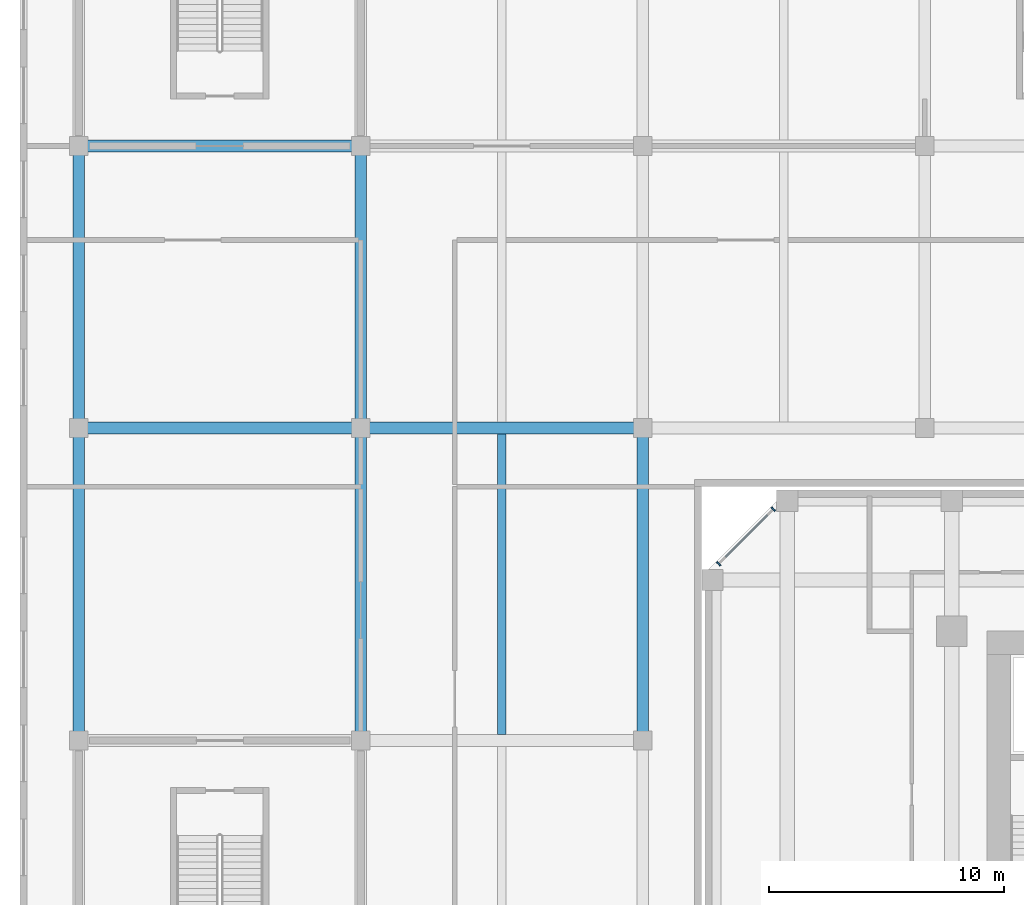
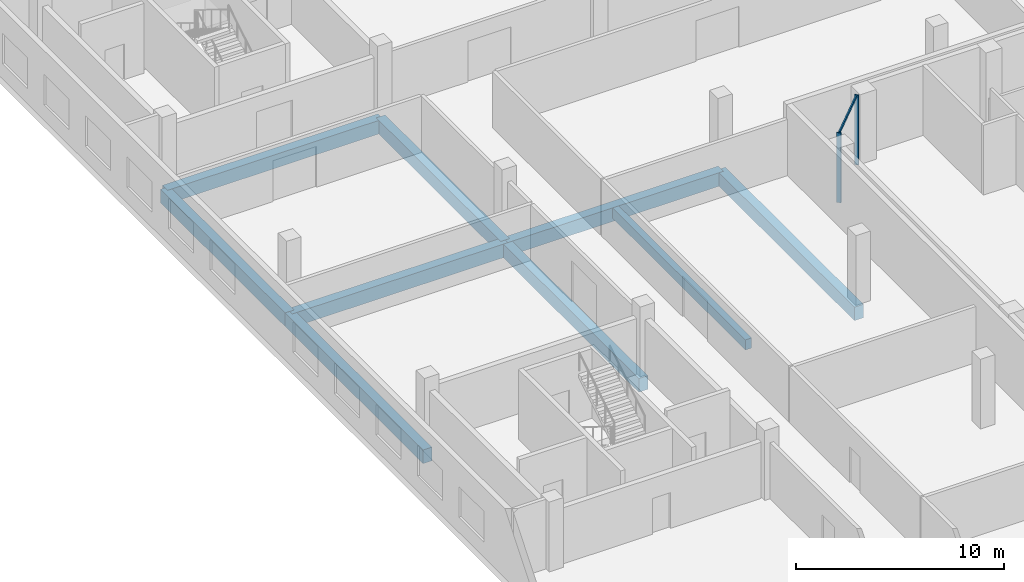
# One storey, part 8 of 35: 9 beams, 3 members, 1 element without a shape of its own.
"""IFC4 building model written with IfcOpenShell, lengths in metres."""

from ifc_helpers import new_model, si_unit, direction, frame, origin, origin_2d, place, context, subcontext, project, spatial, rectangle, extrude, source, transform, mapped, material, material_profile, profile_set, type_object, element, aggregate, save


model = new_model("IFC4")

# Units and contexts
model_context = context("Model", 3, precision=1e-05, world=origin(), true_north=direction((0.0, 1.0)))
body_context = subcontext(model_context, "Body", "Model", "MODEL_VIEW")
ifc_project = project(units=[si_unit("LENGTHUNIT", "METRE"), si_unit("AREAUNIT", "SQUARE_METRE"), si_unit("VOLUMEUNIT", "CUBIC_METRE"), si_unit("PLANEANGLEUNIT", "RADIAN"), si_unit("MASSUNIT", "GRAM", prefix="KILO")], contexts=[model_context])

# Site, building, storey
site_placement = place(None, origin())
site = spatial("IfcSite", under=ifc_project, at=site_placement, CompositionType="ELEMENT")
building_placement = place(site_placement, origin())
building = spatial("IfcBuilding", under=site, at=building_placement, Name="Kilnfold Tower and Market Hall", CompositionType="ELEMENT")
storey_placement = place(building_placement, frame((0.0, 0.0, 13.5)))
storey = spatial("IfcBuildingStorey", under=building, at=storey_placement, Name="L02", CompositionType="ELEMENT", Elevation=13.5)

# Beams
ifc_material_1 = material(Name="Concrete C40/50", Category="concrete")
ifc_material_profile_1 = material_profile(ifc_material_1, rectangle(XDim=0.5, YDim=0.800048828125, at=origin_2d()), Name="RC 500x800")
ifc_profile_set_1 = profile_set([ifc_material_profile_1], Name="Concrete C40/50")
beam_type_1 = type_object("IfcBeamType", Name="HALL GIRDER 500X800", PredefinedType="BEAM", material=ifc_profile_set_1)
beam_1_placement = place(storey_placement, frame((-54.64990234375, 17.35009765625, -0.800048828125), z_axis=(0.0, 1.0, 0.0), x_axis=(-1.0, 0.0, 0.0)))
element("IfcBeam", 1, at=beam_1_placement, inside=storey, type_object=beam_type_1, Name="Beam MG2.11", PredefinedType="BEAM", context=body_context, shape_type="SweptSolid", body=[
    extrude(rectangle(XDim=0.5, YDim=0.800048828125, at=origin_2d()), origin(), (0.0, 0.0, 1.0), 13.2998046875),
])
for number, where, z_axis, x_axis, name in (
    (2, (-54.64990234375, 30.64990234375, -0.800048828125), (0.0, 1.0, 0.0), (-1.0, 0.0, 0.0), "Beam MG2.13"),
    (3, (-54.64990234375, 30.64990234375, -0.800048828125), (1.0, 0.0, 0.0), (0.0, 1.0, 0.0), "Beam MG2.14"),
    (4, (-54.64990234375, 42.64990234375, -0.800048828125), (1.0, 0.0, 0.0), (0.0, 1.0, 0.0), "Beam MG2.16"),
):
    element("IfcBeam", number, at=place(storey_placement, frame(where, z_axis=z_axis, x_axis=x_axis)), inside=storey, type_object=beam_type_1, Name=name, PredefinedType="BEAM", context=body_context, shape_type="SweptSolid", body=[
        extrude(rectangle(XDim=0.5, YDim=0.800048828125, at=origin_2d()), origin(), (0.0, 0.0, 1.0), 12.0),
    ])
beam_2_placement = place(storey_placement, frame((-42.64990234375, 17.35009765625, -0.800048828125), z_axis=(0.0, 1.0, 0.0), x_axis=(-1.0, 0.0, 0.0)))
element("IfcBeam", 5, at=beam_2_placement, inside=storey, type_object=beam_type_1, Name="Beam MG2.26", PredefinedType="BEAM", context=body_context, shape_type="SweptSolid", body=[
    extrude(rectangle(XDim=0.5, YDim=0.800048828125, at=origin_2d()), origin(), (0.0, 0.0, 1.0), 13.2998046875),
])
for number, where, z_axis, x_axis, name in (
    (6, (-42.64990234375, 30.64990234375, -0.800048828125), (0.0, 1.0, 0.0), (-1.0, 0.0, 0.0), "Beam MG2.28"),
    (7, (-42.64990234375, 30.64990234375, -0.800048828125), (1.0, 0.0, 0.0), (0.0, 1.0, 0.0), "Beam MG2.29"),
):
    element("IfcBeam", number, at=place(storey_placement, frame(where, z_axis=z_axis, x_axis=x_axis)), inside=storey, type_object=beam_type_1, Name=name, PredefinedType="BEAM", context=body_context, shape_type="SweptSolid", body=[
        extrude(rectangle(XDim=0.5, YDim=0.800048828125, at=origin_2d()), origin(), (0.0, 0.0, 1.0), 12.0),
    ])
beam_3_placement = place(storey_placement, frame((-30.64990234375, 17.35009765625, -0.800048828125), z_axis=(0.0, 1.0, 0.0), x_axis=(-1.0, 0.0, 0.0)))
element("IfcBeam", 8, at=beam_3_placement, inside=storey, type_object=beam_type_1, Name="Beam MG2.38", PredefinedType="BEAM", context=body_context, shape_type="SweptSolid", body=[
    extrude(rectangle(XDim=0.5, YDim=0.800048828125, at=origin_2d()), origin(), (0.0, 0.0, 1.0), 13.2998046875),
])
ifc_material_2 = material(Name="Concrete C40/50", Category="concrete")
ifc_material_profile_2 = material_profile(ifc_material_2, rectangle(XDim=0.35009765625, YDim=0.60009765625, at=origin_2d()), Name="RC 350x600")
ifc_profile_set_2 = profile_set([ifc_material_profile_2], Name="Concrete C40/50")
beam_type_2 = type_object("IfcBeamType", Name="HALL JOIST 350X600", PredefinedType="BEAM", material=ifc_profile_set_2)
beam_4_placement = place(storey_placement, frame((-36.64990234375, 17.60009765625, -0.699951171875), z_axis=(0.0, 1.0, 0.0), x_axis=(-1.0, 0.0, 0.0)))
element("IfcBeam", 9, at=beam_4_placement, inside=storey, type_object=beam_type_2, Name="Beam MJ1.8", PredefinedType="BEAM", context=body_context, shape_type="SweptSolid", body=[
    extrude(rectangle(XDim=0.35009765625, YDim=0.60009765625, at=origin_2d()), origin(), (0.0, 0.0, 1.0), 12.7998046875),
])

# Curtain wall, members
ifc_material_3 = material(Name="Aluminium and double glazing", Category="aluminium")
curtain_wall_type = type_object("IfcCurtainWallType", Name="CW BASE PODIUM GLAZING", PredefinedType="NOTDEFINED", material=ifc_material_3)
curtain_wall_placement = place(storey_placement, origin())
curtain_wall = element("IfcCurtainWall", 10, at=curtain_wall_placement, inside=storey, type_object=curtain_wall_type, Name="Curtain wall CW4 L02 NW", PredefinedType="NOTDEFINED")
ifc_material_4 = material(Name="Aluminium", Category="aluminium")
ifc_material_profile_3 = material_profile(ifc_material_4, rectangle(XDim=0.070068359375, YDim=0.219970703125, at=origin_2d()), Name="MULLION 70x220")
ifc_profile_set_3 = profile_set([ifc_material_profile_3], Name="Aluminium")
member_type_1 = type_object("IfcMemberType", Name="MULLION 70X220", PredefinedType="MULLION", material=ifc_profile_set_3)
shared_shape_1 = source(origin(), body_context, "Body", "SweptSolid", [
    extrude(rectangle(XDim=0.070068359375, YDim=0.219970703125, at=origin_2d()), origin(), (0.0, 0.0, 1.0), 4.10009765625),
])
member_1_placement = place(storey_placement, frame((-25.09375, 27.194091796875, 0.0), z_axis=(0.0, 0.0, 1.0), x_axis=(-0.707121667181, -0.707091894879, 0.0)))
member_1 = element("IfcMember", 11, at=member_1_placement, type_object=member_type_1, Name="CW4 mullion 1", PredefinedType="MULLION", context=body_context, shape_type="MappedRepresentation", body=[
    mapped(shared_shape_1, transform((0.0, 0.0, 0.0))),
])
member_2_placement = place(storey_placement, frame((-27.419189453125, 24.86865234375, 0.0), z_axis=(0.0, 0.0, 1.0), x_axis=(-0.707121667181, -0.707091894879, 0.0)))
member_2 = element("IfcMember", 12, at=member_2_placement, type_object=member_type_1, Name="CW4 mullion 2", PredefinedType="MULLION", context=body_context, shape_type="MappedRepresentation", body=[
    mapped(shared_shape_1, transform((0.0, 0.0, 0.0))),
])
ifc_material_5 = material(Name="Aluminium", Category="aluminium")
ifc_material_profile_4 = material_profile(ifc_material_5, rectangle(XDim=0.070068359375, YDim=0.159912109375, at=origin_2d()), Name="TRANSOM 70x160")
ifc_profile_set_4 = profile_set([ifc_material_profile_4], Name="Aluminium")
member_type_2 = type_object("IfcMemberType", Name="TRANSOM 70X160", PredefinedType="USERDEFINED", material=ifc_profile_set_4)
shared_shape_2 = source(origin(), body_context, "Body", "SweptSolid", [
    extrude(rectangle(XDim=0.070068359375, YDim=0.159912109375, at=origin_2d()), origin(), (0.0, 0.0, 1.0), 3.218994140625),
])
member_3_placement = place(storey_placement, frame((-25.118408203125, 27.16943359375, 4.06494140625), z_axis=(-0.707106781187, -0.707106781187, 0.0), x_axis=(0.707106781187, -0.707106781187, 0.0)))
member_3 = element("IfcMember", 13, at=member_3_placement, type_object=member_type_2, Name="CW4 transom 1.2", ObjectType="TRANSOM", PredefinedType="USERDEFINED", context=body_context, shape_type="MappedRepresentation", body=[
    mapped(shared_shape_2, transform((0.0, 0.0, 0.0))),
])
aggregate(curtain_wall, [member_1, member_2, member_3])

save(model, "model.ifc")
